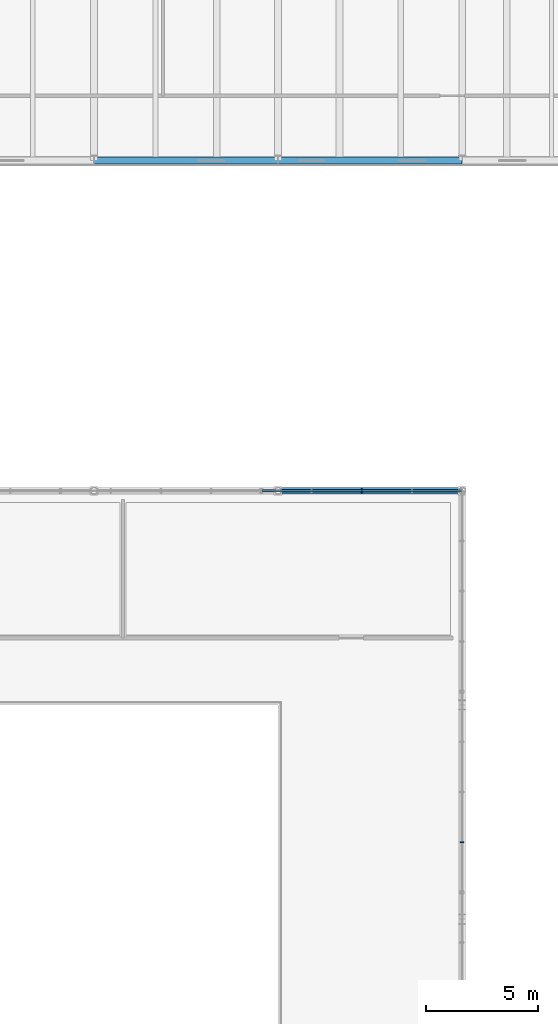
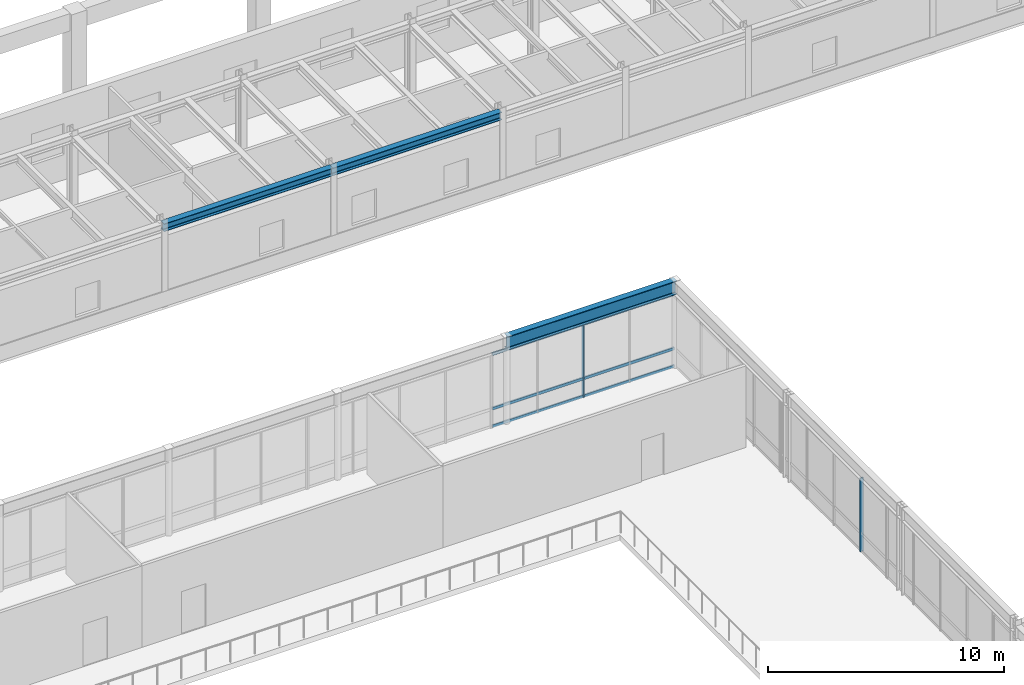
# One storey, part 29 of 64: 5 members, 3 beams, 2 elements without a shape of their own.
"""IFC4 building model written with IfcOpenShell, lengths in metres."""

from ifc_helpers import new_model, si_unit, direction, frame, origin, origin_2d, place, context, subcontext, project, spatial, rectangle, i_section, extrude, material, layer, layer_set, material_profile, profile_set, type_object, element, aggregate, save


model = new_model("IFC4")

# Units and contexts
model_context = context("Model", 3, precision=1e-05, world=origin(), true_north=direction((0.0, 1.0)))
body_context = subcontext(model_context, "Body", "Model", "MODEL_VIEW")
ifc_project = project(units=[si_unit("LENGTHUNIT", "METRE"), si_unit("AREAUNIT", "SQUARE_METRE"), si_unit("VOLUMEUNIT", "CUBIC_METRE"), si_unit("PLANEANGLEUNIT", "RADIAN"), si_unit("MASSUNIT", "GRAM", prefix="KILO")], contexts=[model_context])

# Site, building, storey
site_placement = place(None, origin())
site = spatial("IfcSite", under=ifc_project, at=site_placement, CompositionType="ELEMENT")
building_placement = place(site_placement, origin())
building = spatial("IfcBuilding", under=site, at=building_placement, Name="Montealbar Specialist Clinic", CompositionType="ELEMENT")
storey_placement = place(building_placement, frame((0.0, 0.0, 5.10009765625)))
storey = spatial("IfcBuildingStorey", under=building, at=storey_placement, Name="L01", CompositionType="ELEMENT", Elevation=5.10009765625)

# Beams
ifc_material_1 = material(Name="Steel S355", Category="steel")
ifc_material_profile_1 = material_profile(ifc_material_1, i_section(OverallWidth=0.300048828125, OverallDepth=0.39990234375, WebThickness=0.013427734375, FlangeThickness=0.02392578125, FilletRadius=0.027099609375, at=origin_2d()), Name="HEB 400", Category="steel")
ifc_profile_set_1 = profile_set([ifc_material_profile_1], Name="Steel S355")
beam_type_1 = type_object("IfcBeamType", Name="BM-GIRD-HEB400-EXT", PredefinedType="BEAM", material=ifc_profile_set_1)
for number, where, z_axis, x_axis, name in (
    (1, (82.5, 95.800048828125, 4.02978515625), (1.0, 0.0, 0.0), (0.0, 1.0, 0.0), "Beam GX-L01-825-908-958"),
    (2, (90.75, 95.800048828125, 4.02978515625), (1.0, 0.0, 0.0), (0.0, 1.0, 0.0), "Beam GX-L01-908-990-958"),
):
    element("IfcBeam", number, at=place(storey_placement, frame(where, z_axis=z_axis, x_axis=x_axis)), inside=storey, type_object=beam_type_1, Name=name, PredefinedType="BEAM", context=body_context, shape_type="SweptSolid", body=[
        extrude(i_section(OverallWidth=0.300048828125, OverallDepth=0.39990234375, WebThickness=0.013427734375, FlangeThickness=0.02392578125, FilletRadius=0.027099609375, at=origin_2d()), origin(), (0.0, 0.0, 1.0), 8.25),
    ])
ifc_material_profile_2 = material_profile(ifc_material_1, i_section(OverallWidth=0.300048828125, OverallDepth=0.699951171875, WebThickness=0.01708984375, FlangeThickness=0.031982421875, FilletRadius=0.027099609375, at=origin_2d()), Name="HEB 700", Category="steel")
ifc_profile_set_2 = profile_set([ifc_material_profile_2], Name="Steel S355")
beam_type_2 = type_object("IfcBeamType", Name="BM-RING-HEB700-EXT", PredefinedType="BEAM", material=ifc_profile_set_2)
beam_placement = place(storey_placement, frame((90.75, 81.0, 4.14990234375), z_axis=(1.0, 0.0, 0.0), x_axis=(0.0, 1.0, 0.0)))
element("IfcBeam", 3, at=beam_placement, inside=storey, type_object=beam_type_2, Name="Gridshell perimeter ring beam RB-01 X 90.8-99.0", PredefinedType="BEAM", context=body_context, shape_type="SweptSolid", body=[
    extrude(i_section(OverallWidth=0.300048828125, OverallDepth=0.699951171875, WebThickness=0.01708984375, FlangeThickness=0.031982421875, FilletRadius=0.027099609375, at=origin_2d()), origin(), (0.0, 0.0, 1.0), 8.25),
])

# Curtain wall, member
ifc_material_2 = material(Name="Low-E double glazing", Category="glass")
ifc_layer = layer(ifc_material_2, 0.199951171875, Name="Low-E double glazing", Category="glass")
ifc_layer_set = layer_set([ifc_layer], Name="Low-E double glazing")
curtain_wall_type = type_object("IfcCurtainWallType", Name="CW-TYPE-08", PredefinedType="NOTDEFINED", material=ifc_layer_set)
curtain_wall_1_placement = place(storey_placement, origin())
curtain_wall_1 = element("IfcCurtainWall", 4, at=curtain_wall_1_placement, inside=storey, type_object=curtain_wall_type, Name="Unitised Curtain Wall CW-L01-900-810-990-810-51", PredefinedType="NOTDEFINED")
ifc_material_3 = material(Name="Anodised aluminium EN AW-6063", Category="aluminium")
ifc_material_profile_3 = material_profile(ifc_material_3, rectangle(XDim=0.06005859375, YDim=0.159912109375, at=origin_2d()), Name="ALU 60x160", Category="aluminium")
ifc_profile_set_3 = profile_set([ifc_material_profile_3], Name="Anodised aluminium EN AW-6063")
member_type_1 = type_object("IfcMemberType", Name="CW-MUL-160", PredefinedType="MULLION", material=ifc_profile_set_3)
member_1_placement = place(storey_placement, frame((94.5, 81.0, 0.0), z_axis=(0.0, 0.0, 1.0), x_axis=(1.0, 0.0, 0.0)))
member_1 = element("IfcMember", 5, at=member_1_placement, type_object=member_type_1, Name="Curtain Wall Mullion CW-L01-900-810-990-810-51-02", PredefinedType="MULLION", context=body_context, shape_type="SweptSolid", body=[
    extrude(rectangle(XDim=0.06005859375, YDim=0.159912109375, at=origin_2d()), origin(), (0.0, 0.0, 1.0), 3.7998046875),
])

curtain_wall_2_placement = place(storey_placement, origin())
curtain_wall_2 = element("IfcCurtainWall", 6, at=curtain_wall_2_placement, inside=storey, type_object=curtain_wall_type, Name="Unitised Curtain Wall CW-L01-990-720-990-630-51", PredefinedType="NOTDEFINED")
member_2_placement = place(storey_placement, frame((99.0, 65.25, 0.0), z_axis=(0.0, 0.0, 1.0), x_axis=(0.0, -1.0, 0.0)))
member_2 = element("IfcMember", 7, at=member_2_placement, type_object=member_type_1, Name="Curtain Wall Mullion CW-L01-990-720-990-630-51-03", PredefinedType="MULLION", context=body_context, shape_type="SweptSolid", body=[
    extrude(rectangle(XDim=0.06005859375, YDim=0.159912109375, at=origin_2d()), origin(), (0.0, 0.0, 1.0), 3.7998046875),
])
aggregate(curtain_wall_2, [member_2])

# Member
ifc_material_4 = material(Name="Powder-coated aluminium", Category="aluminium")
ifc_material_profile_4 = material_profile(ifc_material_4, rectangle(XDim=0.070068359375, YDim=0.139892578125, at=origin_2d()), Name="ALU 70x140", Category="aluminium")
ifc_profile_set_4 = profile_set([ifc_material_profile_4], Name="Powder-coated aluminium")
member_type_2 = type_object("IfcMemberType", Name="CW-TRN-140", PredefinedType="USERDEFINED", material=ifc_profile_set_4)
member_3_placement = place(storey_placement, frame((90.050048828125, 81.0, 0.039794921875), z_axis=(1.0, 0.0, 0.0), x_axis=(0.0, 1.0, 0.0)))
member_3 = element("IfcMember", 8, at=member_3_placement, type_object=member_type_2, Name="Curtain Wall Transom CW-L01-900-810-990-810-51-00", ObjectType="TRANSOM", PredefinedType="USERDEFINED", context=body_context, shape_type="SweptSolid", body=[
    extrude(rectangle(XDim=0.070068359375, YDim=0.139892578125, at=origin_2d()), origin(), (0.0, 0.0, 1.0), 8.89990234375),
])

member_4_placement = place(storey_placement, frame((90.050048828125, 81.0, 0.949951171875), z_axis=(1.0, 0.0, 0.0), x_axis=(0.0, 1.0, 0.0)))
member_4 = element("IfcMember", 9, at=member_4_placement, type_object=member_type_2, Name="Curtain Wall Transom CW-L01-900-810-990-810-51-01", ObjectType="TRANSOM", PredefinedType="USERDEFINED", context=body_context, shape_type="SweptSolid", body=[
    extrude(rectangle(XDim=0.070068359375, YDim=0.139892578125, at=origin_2d()), origin(), (0.0, 0.0, 1.0), 8.89990234375),
])

member_5_placement = place(storey_placement, frame((90.050048828125, 81.0, 3.760009765625), z_axis=(1.0, 0.0, 0.0), x_axis=(0.0, 1.0, 0.0)))
member_5 = element("IfcMember", 10, at=member_5_placement, type_object=member_type_2, Name="Curtain Wall Transom CW-L01-900-810-990-810-51-02", ObjectType="TRANSOM", PredefinedType="USERDEFINED", context=body_context, shape_type="SweptSolid", body=[
    extrude(rectangle(XDim=0.070068359375, YDim=0.139892578125, at=origin_2d()), origin(), (0.0, 0.0, 1.0), 8.89990234375),
])

aggregate(curtain_wall_1, [member_1, member_3, member_4, member_5])

save(model, "model.ifc")
